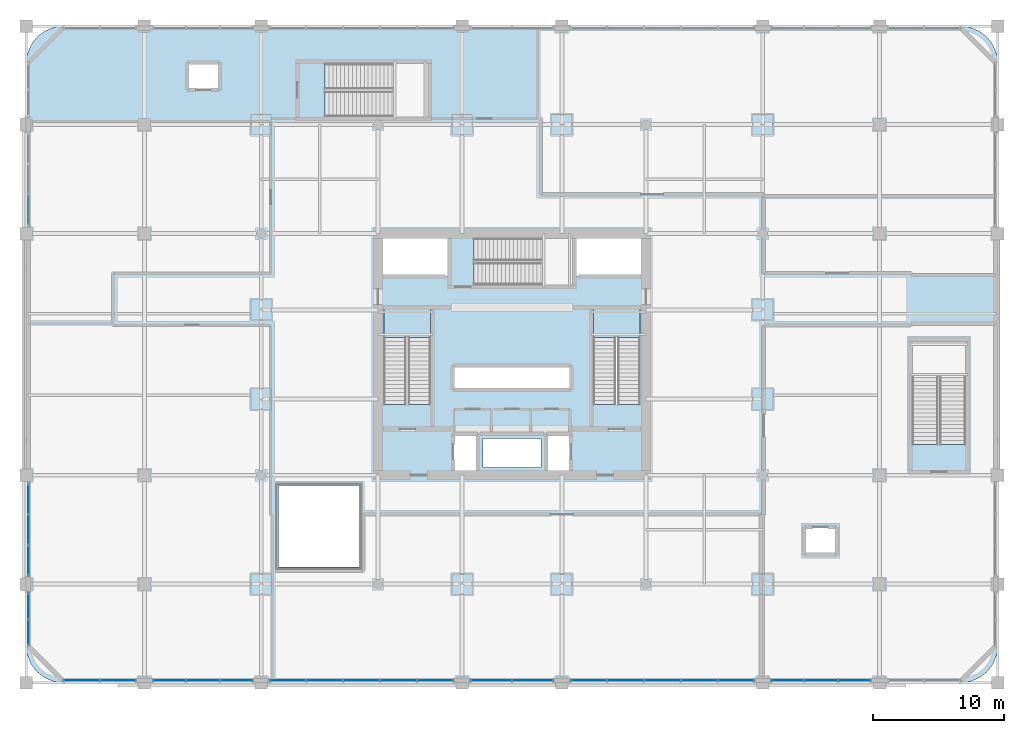
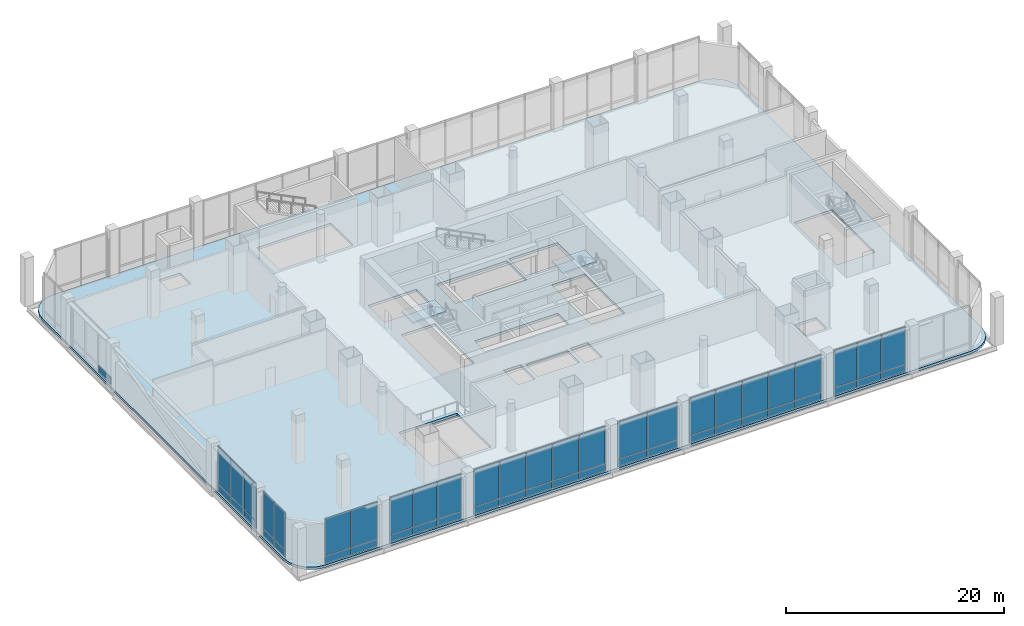
# One storey, part 22 of 39: 51 plates, 3 slabs, 11 elements without a shape of their own.
"""IFC4 building model written with IfcOpenShell, lengths in metres."""

from ifc_helpers import new_model, si_unit, direction, frame, origin, origin_2d, place, context, subcontext, project, spatial, polyline, rectangle, outline, extrude, material, layer, layer_set, type_object, element, aggregate, save


model = new_model("IFC4")

# Units and contexts
model_context = context("Model", 3, precision=1e-05, world=origin(), true_north=direction((0.0, 1.0)))
body_context = subcontext(model_context, "Body", "Model", "MODEL_VIEW")
ifc_project = project(units=[si_unit("LENGTHUNIT", "METRE"), si_unit("AREAUNIT", "SQUARE_METRE"), si_unit("VOLUMEUNIT", "CUBIC_METRE"), si_unit("PLANEANGLEUNIT", "RADIAN"), si_unit("MASSUNIT", "GRAM", prefix="KILO")], contexts=[model_context])

# Site, building, storey
site_placement = place(None, origin())
site = spatial("IfcSite", under=ifc_project, at=site_placement, CompositionType="ELEMENT")
building_placement = place(site_placement, origin())
building = spatial("IfcBuilding", under=site, at=building_placement, Name="Punatoya Terracotta Tower", CompositionType="ELEMENT")
storey_placement = place(building_placement, frame((0.0, 0.0, 11.39990234375)))
storey = spatial("IfcBuildingStorey", under=building, at=storey_placement, Name="L02", CompositionType="ELEMENT", Elevation=11.39990234375)

# Curtain wall, plates
ifc_material_1 = material(Name="Aluminium 6063-T6 + Double Low-E Glass", Category="aluminium")
curtain_wall_type = type_object("IfcCurtainWallType", Name="CW-POD", PredefinedType="NOTDEFINED", material=ifc_material_1)
curtain_wall_1_placement = place(storey_placement, origin())
curtain_wall_1 = element("IfcCurtainWall", 1, at=curtain_wall_1_placement, inside=storey, type_object=curtain_wall_type, Name="L02 Curtain Wall CWP-L02-S1", PredefinedType="NOTDEFINED")
ifc_material_2 = material(Name="Double Low-E Clear Vision Glass", Category="glass")
ifc_layer_1 = layer(ifc_material_2, 0.028076171875)
ifc_layer_set_1 = layer_set([ifc_layer_1], Name="Double Low-E Clear Vision Glass")
plate_type_1 = type_object("IfcPlateType", Name="PLT-GLZ-28", PredefinedType="CURTAIN_PANEL", material=ifc_layer_set_1)
plate_1_placement = place(storey_placement, frame((-32.804931640625, -24.840087890625, 0.89013671875), z_axis=(0.0, 0.0, 1.0), x_axis=(1.0, 0.0, 0.0)))
plate_1 = element("IfcPlate", 2, at=plate_1_placement, type_object=plate_type_1, Name="CWP-L02-S1 Vision Glass Panel 1", PredefinedType="CURTAIN_PANEL", context=body_context, shape_type="SweptSolid", body=[
    extrude(rectangle(XDim=2.705078125, YDim=0.028076171875, at=origin_2d()), origin(), (0.0, 0.0, 1.0), 4.18994140625),
])
plate_2_placement = place(storey_placement, frame((-30.014892578125, -24.840087890625, 0.89013671875), z_axis=(0.0, 0.0, 1.0), x_axis=(1.0, 0.0, 0.0)))
plate_2 = element("IfcPlate", 3, at=plate_2_placement, type_object=plate_type_1, Name="CWP-L02-S1 Vision Glass Panel 2", PredefinedType="CURTAIN_PANEL", context=body_context, shape_type="SweptSolid", body=[
    extrude(rectangle(XDim=2.705078125, YDim=0.028076171875, at=origin_2d()), origin(), (0.0, 0.0, 1.0), 4.18994140625),
])

curtain_wall_2_placement = place(storey_placement, origin())
curtain_wall_2 = element("IfcCurtainWall", 4, at=curtain_wall_2_placement, inside=storey, type_object=curtain_wall_type, Name="L02 Curtain Wall CWP-L02-S2", PredefinedType="NOTDEFINED")
plate_3_placement = place(storey_placement, frame((-26.103271484375, -24.840087890625, 0.89013671875), z_axis=(0.0, 0.0, 1.0), x_axis=(1.0, 0.0, 0.0)))
plate_3 = element("IfcPlate", 5, at=plate_3_placement, type_object=plate_type_1, Name="CWP-L02-S2 Vision Glass Panel 1", PredefinedType="CURTAIN_PANEL", context=body_context, shape_type="SweptSolid", body=[
    extrude(rectangle(XDim=2.46826171875, YDim=0.028076171875, at=origin_2d()), origin(), (0.0, 0.0, 1.0), 4.18994140625),
])
plate_4_placement = place(storey_placement, frame((-23.550048828125, -24.840087890625, 0.89013671875), z_axis=(0.0, 0.0, 1.0), x_axis=(1.0, 0.0, 0.0)))
plate_4 = element("IfcPlate", 6, at=plate_4_placement, type_object=plate_type_1, Name="CWP-L02-S2 Vision Glass Panel 2", PredefinedType="CURTAIN_PANEL", context=body_context, shape_type="SweptSolid", body=[
    extrude(rectangle(XDim=2.46826171875, YDim=0.028076171875, at=origin_2d()), origin(), (0.0, 0.0, 1.0), 4.18994140625),
])
plate_5_placement = place(storey_placement, frame((-20.99658203125, -24.840087890625, 0.89013671875), z_axis=(0.0, 0.0, 1.0), x_axis=(1.0, 0.0, 0.0)))
plate_5 = element("IfcPlate", 7, at=plate_5_placement, type_object=plate_type_1, Name="CWP-L02-S2 Vision Glass Panel 3", PredefinedType="CURTAIN_PANEL", context=body_context, shape_type="SweptSolid", body=[
    extrude(rectangle(XDim=2.46826171875, YDim=0.028076171875, at=origin_2d()), origin(), (0.0, 0.0, 1.0), 4.18994140625),
])

curtain_wall_3_placement = place(storey_placement, origin())
curtain_wall_3 = element("IfcCurtainWall", 8, at=curtain_wall_3_placement, inside=storey, type_object=curtain_wall_type, Name="L02 Curtain Wall CWP-L02-S3", PredefinedType="NOTDEFINED")
plate_6_placement = place(storey_placement, frame((-17.073974609375, -24.840087890625, 0.89013671875), z_axis=(0.0, 0.0, 1.0), x_axis=(1.0, 0.0, 0.0)))
plate_6 = element("IfcPlate", 9, at=plate_6_placement, type_object=plate_type_1, Name="CWP-L02-S3 Vision Glass Panel 1", PredefinedType="CURTAIN_PANEL", context=body_context, shape_type="SweptSolid", body=[
    extrude(rectangle(XDim=2.72705078125, YDim=0.028076171875, at=origin_2d()), origin(), (0.0, 0.0, 1.0), 4.18994140625),
])
plate_7_placement = place(storey_placement, frame((-14.261962890625, -24.840087890625, 0.89013671875), z_axis=(0.0, 0.0, 1.0), x_axis=(1.0, 0.0, 0.0)))
plate_7 = element("IfcPlate", 10, at=plate_7_placement, type_object=plate_type_1, Name="CWP-L02-S3 Vision Glass Panel 2", PredefinedType="CURTAIN_PANEL", context=body_context, shape_type="SweptSolid", body=[
    extrude(rectangle(XDim=2.72705078125, YDim=0.028076171875, at=origin_2d()), origin(), (0.0, 0.0, 1.0), 4.18994140625),
])
plate_8_placement = place(storey_placement, frame((-11.449951171875, -24.840087890625, 0.89013671875), z_axis=(0.0, 0.0, 1.0), x_axis=(1.0, 0.0, 0.0)))
plate_8 = element("IfcPlate", 11, at=plate_8_placement, type_object=plate_type_1, Name="CWP-L02-S3 Vision Glass Panel 3", PredefinedType="CURTAIN_PANEL", context=body_context, shape_type="SweptSolid", body=[
    extrude(rectangle(XDim=2.72705078125, YDim=0.028076171875, at=origin_2d()), origin(), (0.0, 0.0, 1.0), 4.18994140625),
])
plate_9_placement = place(storey_placement, frame((-8.637939453125, -24.840087890625, 0.89013671875), z_axis=(0.0, 0.0, 1.0), x_axis=(1.0, 0.0, 0.0)))
plate_9 = element("IfcPlate", 12, at=plate_9_placement, type_object=plate_type_1, Name="CWP-L02-S3 Vision Glass Panel 4", PredefinedType="CURTAIN_PANEL", context=body_context, shape_type="SweptSolid", body=[
    extrude(rectangle(XDim=2.72705078125, YDim=0.028076171875, at=origin_2d()), origin(), (0.0, 0.0, 1.0), 4.18994140625),
])
plate_10_placement = place(storey_placement, frame((-5.825927734375, -24.840087890625, 0.89013671875), z_axis=(0.0, 0.0, 1.0), x_axis=(1.0, 0.0, 0.0)))
plate_10 = element("IfcPlate", 13, at=plate_10_placement, type_object=plate_type_1, Name="CWP-L02-S3 Vision Glass Panel 5", PredefinedType="CURTAIN_PANEL", context=body_context, shape_type="SweptSolid", body=[
    extrude(rectangle(XDim=2.72705078125, YDim=0.028076171875, at=origin_2d()), origin(), (0.0, 0.0, 1.0), 4.18994140625),
])

curtain_wall_4_placement = place(storey_placement, origin())
curtain_wall_4 = element("IfcCurtainWall", 14, at=curtain_wall_4_placement, inside=storey, type_object=curtain_wall_type, Name="L02 Curtain Wall CWP-L02-S4", PredefinedType="NOTDEFINED")
plate_11_placement = place(storey_placement, frame((-1.590087890625, -24.840087890625, 0.89013671875), z_axis=(0.0, 0.0, 1.0), x_axis=(1.0, 0.0, 0.0)))
plate_11 = element("IfcPlate", 15, at=plate_11_placement, type_object=plate_type_1, Name="CWP-L02-S4 Vision Glass Panel 1", PredefinedType="CURTAIN_PANEL", context=body_context, shape_type="SweptSolid", body=[
    extrude(rectangle(XDim=3.094970703125, YDim=0.028076171875, at=origin_2d()), origin(), (0.0, 0.0, 1.0), 4.18994140625),
])
plate_12_placement = place(storey_placement, frame((1.590087890625, -24.840087890625, 0.89013671875), z_axis=(0.0, 0.0, 1.0), x_axis=(1.0, 0.0, 0.0)))
plate_12 = element("IfcPlate", 16, at=plate_12_placement, type_object=plate_type_1, Name="CWP-L02-S4 Vision Glass Panel 2", PredefinedType="CURTAIN_PANEL", context=body_context, shape_type="SweptSolid", body=[
    extrude(rectangle(XDim=3.094970703125, YDim=0.028076171875, at=origin_2d()), origin(), (0.0, 0.0, 1.0), 4.18994140625),
])

curtain_wall_5_placement = place(storey_placement, origin())
curtain_wall_5 = element("IfcCurtainWall", 17, at=curtain_wall_5_placement, inside=storey, type_object=curtain_wall_type, Name="L02 Curtain Wall CWP-L02-S5", PredefinedType="NOTDEFINED")
plate_13_placement = place(storey_placement, frame((5.825927734375, -24.840087890625, 0.89013671875), z_axis=(0.0, 0.0, 1.0), x_axis=(1.0, 0.0, 0.0)))
plate_13 = element("IfcPlate", 18, at=plate_13_placement, type_object=plate_type_1, Name="CWP-L02-S5 Vision Glass Panel 1", PredefinedType="CURTAIN_PANEL", context=body_context, shape_type="SweptSolid", body=[
    extrude(rectangle(XDim=2.72705078125, YDim=0.028076171875, at=origin_2d()), origin(), (0.0, 0.0, 1.0), 4.18994140625),
])
plate_14_placement = place(storey_placement, frame((8.637939453125, -24.840087890625, 0.89013671875), z_axis=(0.0, 0.0, 1.0), x_axis=(1.0, 0.0, 0.0)))
plate_14 = element("IfcPlate", 19, at=plate_14_placement, type_object=plate_type_1, Name="CWP-L02-S5 Vision Glass Panel 2", PredefinedType="CURTAIN_PANEL", context=body_context, shape_type="SweptSolid", body=[
    extrude(rectangle(XDim=2.72705078125, YDim=0.028076171875, at=origin_2d()), origin(), (0.0, 0.0, 1.0), 4.18994140625),
])
plate_15_placement = place(storey_placement, frame((11.449951171875, -24.840087890625, 0.89013671875), z_axis=(0.0, 0.0, 1.0), x_axis=(1.0, 0.0, 0.0)))
plate_15 = element("IfcPlate", 20, at=plate_15_placement, type_object=plate_type_1, Name="CWP-L02-S5 Vision Glass Panel 3", PredefinedType="CURTAIN_PANEL", context=body_context, shape_type="SweptSolid", body=[
    extrude(rectangle(XDim=2.72705078125, YDim=0.028076171875, at=origin_2d()), origin(), (0.0, 0.0, 1.0), 4.18994140625),
])
plate_16_placement = place(storey_placement, frame((14.261962890625, -24.840087890625, 0.89013671875), z_axis=(0.0, 0.0, 1.0), x_axis=(1.0, 0.0, 0.0)))
plate_16 = element("IfcPlate", 21, at=plate_16_placement, type_object=plate_type_1, Name="CWP-L02-S5 Vision Glass Panel 4", PredefinedType="CURTAIN_PANEL", context=body_context, shape_type="SweptSolid", body=[
    extrude(rectangle(XDim=2.72705078125, YDim=0.028076171875, at=origin_2d()), origin(), (0.0, 0.0, 1.0), 4.18994140625),
])
plate_17_placement = place(storey_placement, frame((17.073974609375, -24.840087890625, 0.89013671875), z_axis=(0.0, 0.0, 1.0), x_axis=(1.0, 0.0, 0.0)))
plate_17 = element("IfcPlate", 22, at=plate_17_placement, type_object=plate_type_1, Name="CWP-L02-S5 Vision Glass Panel 5", PredefinedType="CURTAIN_PANEL", context=body_context, shape_type="SweptSolid", body=[
    extrude(rectangle(XDim=2.72705078125, YDim=0.028076171875, at=origin_2d()), origin(), (0.0, 0.0, 1.0), 4.18994140625),
])

curtain_wall_6_placement = place(storey_placement, origin())
curtain_wall_6 = element("IfcCurtainWall", 23, at=curtain_wall_6_placement, inside=storey, type_object=curtain_wall_type, Name="L02 Curtain Wall CWP-L02-S6", PredefinedType="NOTDEFINED")
plate_18_placement = place(storey_placement, frame((20.99658203125, -24.840087890625, 0.89013671875), z_axis=(0.0, 0.0, 1.0), x_axis=(1.0, 0.0, 0.0)))
plate_18 = element("IfcPlate", 24, at=plate_18_placement, type_object=plate_type_1, Name="CWP-L02-S6 Vision Glass Panel 1", PredefinedType="CURTAIN_PANEL", context=body_context, shape_type="SweptSolid", body=[
    extrude(rectangle(XDim=2.46826171875, YDim=0.028076171875, at=origin_2d()), origin(), (0.0, 0.0, 1.0), 4.18994140625),
])
plate_19_placement = place(storey_placement, frame((23.550048828125, -24.840087890625, 0.89013671875), z_axis=(0.0, 0.0, 1.0), x_axis=(1.0, 0.0, 0.0)))
plate_19 = element("IfcPlate", 25, at=plate_19_placement, type_object=plate_type_1, Name="CWP-L02-S6 Vision Glass Panel 2", PredefinedType="CURTAIN_PANEL", context=body_context, shape_type="SweptSolid", body=[
    extrude(rectangle(XDim=2.46826171875, YDim=0.028076171875, at=origin_2d()), origin(), (0.0, 0.0, 1.0), 4.18994140625),
])
plate_20_placement = place(storey_placement, frame((26.103271484375, -24.840087890625, 0.89013671875), z_axis=(0.0, 0.0, 1.0), x_axis=(1.0, 0.0, 0.0)))
plate_20 = element("IfcPlate", 26, at=plate_20_placement, type_object=plate_type_1, Name="CWP-L02-S6 Vision Glass Panel 3", PredefinedType="CURTAIN_PANEL", context=body_context, shape_type="SweptSolid", body=[
    extrude(rectangle(XDim=2.46826171875, YDim=0.028076171875, at=origin_2d()), origin(), (0.0, 0.0, 1.0), 4.18994140625),
])

curtain_wall_7_placement = place(storey_placement, origin())
curtain_wall_7 = element("IfcCurtainWall", 27, at=curtain_wall_7_placement, inside=storey, type_object=curtain_wall_type, Name="L02 Curtain Wall CWP-L02-W1", PredefinedType="NOTDEFINED")
plate_21_placement = place(storey_placement, frame((-36.840087890625, -21.179931640625, 0.89013671875), z_axis=(0.0, 0.0, 1.0), x_axis=(0.0, 1.0, 0.0)))
plate_21 = element("IfcPlate", 28, at=plate_21_placement, type_object=plate_type_1, Name="CWP-L02-W1 Vision Glass Panel 1", PredefinedType="CURTAIN_PANEL", context=body_context, shape_type="SweptSolid", body=[
    extrude(rectangle(XDim=1.955078125, YDim=0.028076171875, at=origin_2d()), origin(), (0.0, 0.0, 1.0), 4.18994140625),
])
plate_22_placement = place(storey_placement, frame((-36.840087890625, -19.139892578125, 0.89013671875), z_axis=(0.0, 0.0, 1.0), x_axis=(0.0, 1.0, 0.0)))
plate_22 = element("IfcPlate", 29, at=plate_22_placement, type_object=plate_type_1, Name="CWP-L02-W1 Vision Glass Panel 2", PredefinedType="CURTAIN_PANEL", context=body_context, shape_type="SweptSolid", body=[
    extrude(rectangle(XDim=1.955078125, YDim=0.028076171875, at=origin_2d()), origin(), (0.0, 0.0, 1.0), 4.18994140625),
])

curtain_wall_8_placement = place(storey_placement, origin())
curtain_wall_8 = element("IfcCurtainWall", 30, at=curtain_wall_8_placement, inside=storey, type_object=curtain_wall_type, Name="L02 Curtain Wall CWP-L02-W2", PredefinedType="NOTDEFINED")
plate_23_placement = place(storey_placement, frame((-36.840087890625, -15.703369140625, 0.89013671875), z_axis=(0.0, 0.0, 1.0), x_axis=(0.0, 1.0, 0.0)))
plate_23 = element("IfcPlate", 31, at=plate_23_placement, type_object=plate_type_1, Name="CWP-L02-W2 Vision Glass Panel 1", PredefinedType="CURTAIN_PANEL", context=body_context, shape_type="SweptSolid", body=[
    extrude(rectangle(XDim=2.268310546875, YDim=0.028076171875, at=origin_2d()), origin(), (0.0, 0.0, 1.0), 4.18994140625),
])
plate_24_placement = place(storey_placement, frame((-36.840087890625, -13.35009765625, 0.89013671875), z_axis=(0.0, 0.0, 1.0), x_axis=(0.0, 1.0, 0.0)))
plate_24 = element("IfcPlate", 32, at=plate_24_placement, type_object=plate_type_1, Name="CWP-L02-W2 Vision Glass Panel 2", PredefinedType="CURTAIN_PANEL", context=body_context, shape_type="SweptSolid", body=[
    extrude(rectangle(XDim=2.268310546875, YDim=0.028076171875, at=origin_2d()), origin(), (0.0, 0.0, 1.0), 4.18994140625),
])
plate_25_placement = place(storey_placement, frame((-36.840087890625, -10.99658203125, 0.89013671875), z_axis=(0.0, 0.0, 1.0), x_axis=(0.0, 1.0, 0.0)))
plate_25 = element("IfcPlate", 33, at=plate_25_placement, type_object=plate_type_1, Name="CWP-L02-W2 Vision Glass Panel 3", PredefinedType="CURTAIN_PANEL", context=body_context, shape_type="SweptSolid", body=[
    extrude(rectangle(XDim=2.268310546875, YDim=0.028076171875, at=origin_2d()), origin(), (0.0, 0.0, 1.0), 4.18994140625),
])

# Plate
ifc_material_3 = material(Name="Insulated Terracotta-Backed Spandrel Panel", Category="masonry")
ifc_layer_2 = layer(ifc_material_3, 0.044921875)
ifc_layer_set_2 = layer_set([ifc_layer_2], Name="Insulated Terracotta-Backed Spandrel Panel")
plate_type_2 = type_object("IfcPlateType", Name="PLT-SPN-45", PredefinedType="CURTAIN_PANEL", material=ifc_layer_set_2)
plate_26_placement = place(storey_placement, frame((-32.804931640625, -24.840087890625, 0.0400390625), z_axis=(0.0, 0.0, 1.0), x_axis=(1.0, 0.0, 0.0)))
plate_26 = element("IfcPlate", 34, at=plate_26_placement, type_object=plate_type_2, Name="CWP-L02-S1 Terracotta Spandrel Panel 1", PredefinedType="CURTAIN_PANEL", context=body_context, shape_type="SweptSolid", body=[
    extrude(rectangle(XDim=2.705078125, YDim=0.044921875, at=origin_2d()), origin(), (0.0, 0.0, 1.0), 0.77490234375),
])

plate_27_placement = place(storey_placement, frame((-30.014892578125, -24.840087890625, 0.0400390625), z_axis=(0.0, 0.0, 1.0), x_axis=(1.0, 0.0, 0.0)))
plate_27 = element("IfcPlate", 35, at=plate_27_placement, type_object=plate_type_2, Name="CWP-L02-S1 Terracotta Spandrel Panel 2", PredefinedType="CURTAIN_PANEL", context=body_context, shape_type="SweptSolid", body=[
    extrude(rectangle(XDim=2.705078125, YDim=0.044921875, at=origin_2d()), origin(), (0.0, 0.0, 1.0), 0.77490234375),
])

aggregate(curtain_wall_1, [plate_26, plate_1, plate_27, plate_2])

plate_28_placement = place(storey_placement, frame((-26.103271484375, -24.840087890625, 0.0400390625), z_axis=(0.0, 0.0, 1.0), x_axis=(1.0, 0.0, 0.0)))
plate_28 = element("IfcPlate", 36, at=plate_28_placement, type_object=plate_type_2, Name="CWP-L02-S2 Terracotta Spandrel Panel 1", PredefinedType="CURTAIN_PANEL", context=body_context, shape_type="SweptSolid", body=[
    extrude(rectangle(XDim=2.46826171875, YDim=0.044921875, at=origin_2d()), origin(), (0.0, 0.0, 1.0), 0.77490234375),
])

plate_29_placement = place(storey_placement, frame((-23.550048828125, -24.840087890625, 0.0400390625), z_axis=(0.0, 0.0, 1.0), x_axis=(1.0, 0.0, 0.0)))
plate_29 = element("IfcPlate", 37, at=plate_29_placement, type_object=plate_type_2, Name="CWP-L02-S2 Terracotta Spandrel Panel 2", PredefinedType="CURTAIN_PANEL", context=body_context, shape_type="SweptSolid", body=[
    extrude(rectangle(XDim=2.46826171875, YDim=0.044921875, at=origin_2d()), origin(), (0.0, 0.0, 1.0), 0.77490234375),
])

plate_30_placement = place(storey_placement, frame((-20.99658203125, -24.840087890625, 0.0400390625), z_axis=(0.0, 0.0, 1.0), x_axis=(1.0, 0.0, 0.0)))
plate_30 = element("IfcPlate", 38, at=plate_30_placement, type_object=plate_type_2, Name="CWP-L02-S2 Terracotta Spandrel Panel 3", PredefinedType="CURTAIN_PANEL", context=body_context, shape_type="SweptSolid", body=[
    extrude(rectangle(XDim=2.46826171875, YDim=0.044921875, at=origin_2d()), origin(), (0.0, 0.0, 1.0), 0.77490234375),
])

aggregate(curtain_wall_2, [plate_28, plate_3, plate_29, plate_4, plate_30, plate_5])

plate_31_placement = place(storey_placement, frame((-17.073974609375, -24.840087890625, 0.0400390625), z_axis=(0.0, 0.0, 1.0), x_axis=(1.0, 0.0, 0.0)))
plate_31 = element("IfcPlate", 39, at=plate_31_placement, type_object=plate_type_2, Name="CWP-L02-S3 Terracotta Spandrel Panel 1", PredefinedType="CURTAIN_PANEL", context=body_context, shape_type="SweptSolid", body=[
    extrude(rectangle(XDim=2.72705078125, YDim=0.044921875, at=origin_2d()), origin(), (0.0, 0.0, 1.0), 0.77490234375),
])

plate_32_placement = place(storey_placement, frame((-14.261962890625, -24.840087890625, 0.0400390625), z_axis=(0.0, 0.0, 1.0), x_axis=(1.0, 0.0, 0.0)))
plate_32 = element("IfcPlate", 40, at=plate_32_placement, type_object=plate_type_2, Name="CWP-L02-S3 Terracotta Spandrel Panel 2", PredefinedType="CURTAIN_PANEL", context=body_context, shape_type="SweptSolid", body=[
    extrude(rectangle(XDim=2.72705078125, YDim=0.044921875, at=origin_2d()), origin(), (0.0, 0.0, 1.0), 0.77490234375),
])

plate_33_placement = place(storey_placement, frame((-11.449951171875, -24.840087890625, 0.0400390625), z_axis=(0.0, 0.0, 1.0), x_axis=(1.0, 0.0, 0.0)))
plate_33 = element("IfcPlate", 41, at=plate_33_placement, type_object=plate_type_2, Name="CWP-L02-S3 Terracotta Spandrel Panel 3", PredefinedType="CURTAIN_PANEL", context=body_context, shape_type="SweptSolid", body=[
    extrude(rectangle(XDim=2.72705078125, YDim=0.044921875, at=origin_2d()), origin(), (0.0, 0.0, 1.0), 0.77490234375),
])

plate_34_placement = place(storey_placement, frame((-8.637939453125, -24.840087890625, 0.0400390625), z_axis=(0.0, 0.0, 1.0), x_axis=(1.0, 0.0, 0.0)))
plate_34 = element("IfcPlate", 42, at=plate_34_placement, type_object=plate_type_2, Name="CWP-L02-S3 Terracotta Spandrel Panel 4", PredefinedType="CURTAIN_PANEL", context=body_context, shape_type="SweptSolid", body=[
    extrude(rectangle(XDim=2.72705078125, YDim=0.044921875, at=origin_2d()), origin(), (0.0, 0.0, 1.0), 0.77490234375),
])

plate_35_placement = place(storey_placement, frame((-5.825927734375, -24.840087890625, 0.0400390625), z_axis=(0.0, 0.0, 1.0), x_axis=(1.0, 0.0, 0.0)))
plate_35 = element("IfcPlate", 43, at=plate_35_placement, type_object=plate_type_2, Name="CWP-L02-S3 Terracotta Spandrel Panel 5", PredefinedType="CURTAIN_PANEL", context=body_context, shape_type="SweptSolid", body=[
    extrude(rectangle(XDim=2.72705078125, YDim=0.044921875, at=origin_2d()), origin(), (0.0, 0.0, 1.0), 0.77490234375),
])

aggregate(curtain_wall_3, [plate_31, plate_6, plate_32, plate_7, plate_33, plate_8, plate_34, plate_9, plate_35, plate_10])

plate_36_placement = place(storey_placement, frame((-1.590087890625, -24.840087890625, 0.0400390625), z_axis=(0.0, 0.0, 1.0), x_axis=(1.0, 0.0, 0.0)))
plate_36 = element("IfcPlate", 44, at=plate_36_placement, type_object=plate_type_2, Name="CWP-L02-S4 Terracotta Spandrel Panel 1", PredefinedType="CURTAIN_PANEL", context=body_context, shape_type="SweptSolid", body=[
    extrude(rectangle(XDim=3.094970703125, YDim=0.044921875, at=origin_2d()), origin(), (0.0, 0.0, 1.0), 0.77490234375),
])

plate_37_placement = place(storey_placement, frame((1.590087890625, -24.840087890625, 0.0400390625), z_axis=(0.0, 0.0, 1.0), x_axis=(1.0, 0.0, 0.0)))
plate_37 = element("IfcPlate", 45, at=plate_37_placement, type_object=plate_type_2, Name="CWP-L02-S4 Terracotta Spandrel Panel 2", PredefinedType="CURTAIN_PANEL", context=body_context, shape_type="SweptSolid", body=[
    extrude(rectangle(XDim=3.094970703125, YDim=0.044921875, at=origin_2d()), origin(), (0.0, 0.0, 1.0), 0.77490234375),
])

aggregate(curtain_wall_4, [plate_36, plate_11, plate_37, plate_12])

plate_38_placement = place(storey_placement, frame((5.825927734375, -24.840087890625, 0.0400390625), z_axis=(0.0, 0.0, 1.0), x_axis=(1.0, 0.0, 0.0)))
plate_38 = element("IfcPlate", 46, at=plate_38_placement, type_object=plate_type_2, Name="CWP-L02-S5 Terracotta Spandrel Panel 1", PredefinedType="CURTAIN_PANEL", context=body_context, shape_type="SweptSolid", body=[
    extrude(rectangle(XDim=2.72705078125, YDim=0.044921875, at=origin_2d()), origin(), (0.0, 0.0, 1.0), 0.77490234375),
])

plate_39_placement = place(storey_placement, frame((8.637939453125, -24.840087890625, 0.0400390625), z_axis=(0.0, 0.0, 1.0), x_axis=(1.0, 0.0, 0.0)))
plate_39 = element("IfcPlate", 47, at=plate_39_placement, type_object=plate_type_2, Name="CWP-L02-S5 Terracotta Spandrel Panel 2", PredefinedType="CURTAIN_PANEL", context=body_context, shape_type="SweptSolid", body=[
    extrude(rectangle(XDim=2.72705078125, YDim=0.044921875, at=origin_2d()), origin(), (0.0, 0.0, 1.0), 0.77490234375),
])

plate_40_placement = place(storey_placement, frame((11.449951171875, -24.840087890625, 0.0400390625), z_axis=(0.0, 0.0, 1.0), x_axis=(1.0, 0.0, 0.0)))
plate_40 = element("IfcPlate", 48, at=plate_40_placement, type_object=plate_type_2, Name="CWP-L02-S5 Terracotta Spandrel Panel 3", PredefinedType="CURTAIN_PANEL", context=body_context, shape_type="SweptSolid", body=[
    extrude(rectangle(XDim=2.72705078125, YDim=0.044921875, at=origin_2d()), origin(), (0.0, 0.0, 1.0), 0.77490234375),
])

plate_41_placement = place(storey_placement, frame((14.261962890625, -24.840087890625, 0.0400390625), z_axis=(0.0, 0.0, 1.0), x_axis=(1.0, 0.0, 0.0)))
plate_41 = element("IfcPlate", 49, at=plate_41_placement, type_object=plate_type_2, Name="CWP-L02-S5 Terracotta Spandrel Panel 4", PredefinedType="CURTAIN_PANEL", context=body_context, shape_type="SweptSolid", body=[
    extrude(rectangle(XDim=2.72705078125, YDim=0.044921875, at=origin_2d()), origin(), (0.0, 0.0, 1.0), 0.77490234375),
])

plate_42_placement = place(storey_placement, frame((17.073974609375, -24.840087890625, 0.0400390625), z_axis=(0.0, 0.0, 1.0), x_axis=(1.0, 0.0, 0.0)))
plate_42 = element("IfcPlate", 50, at=plate_42_placement, type_object=plate_type_2, Name="CWP-L02-S5 Terracotta Spandrel Panel 5", PredefinedType="CURTAIN_PANEL", context=body_context, shape_type="SweptSolid", body=[
    extrude(rectangle(XDim=2.72705078125, YDim=0.044921875, at=origin_2d()), origin(), (0.0, 0.0, 1.0), 0.77490234375),
])

aggregate(curtain_wall_5, [plate_38, plate_13, plate_39, plate_14, plate_40, plate_15, plate_41, plate_16, plate_42, plate_17])

plate_43_placement = place(storey_placement, frame((20.99658203125, -24.840087890625, 0.0400390625), z_axis=(0.0, 0.0, 1.0), x_axis=(1.0, 0.0, 0.0)))
plate_43 = element("IfcPlate", 51, at=plate_43_placement, type_object=plate_type_2, Name="CWP-L02-S6 Terracotta Spandrel Panel 1", PredefinedType="CURTAIN_PANEL", context=body_context, shape_type="SweptSolid", body=[
    extrude(rectangle(XDim=2.46826171875, YDim=0.044921875, at=origin_2d()), origin(), (0.0, 0.0, 1.0), 0.77490234375),
])

plate_44_placement = place(storey_placement, frame((23.550048828125, -24.840087890625, 0.0400390625), z_axis=(0.0, 0.0, 1.0), x_axis=(1.0, 0.0, 0.0)))
plate_44 = element("IfcPlate", 52, at=plate_44_placement, type_object=plate_type_2, Name="CWP-L02-S6 Terracotta Spandrel Panel 2", PredefinedType="CURTAIN_PANEL", context=body_context, shape_type="SweptSolid", body=[
    extrude(rectangle(XDim=2.46826171875, YDim=0.044921875, at=origin_2d()), origin(), (0.0, 0.0, 1.0), 0.77490234375),
])

plate_45_placement = place(storey_placement, frame((26.103271484375, -24.840087890625, 0.0400390625), z_axis=(0.0, 0.0, 1.0), x_axis=(1.0, 0.0, 0.0)))
plate_45 = element("IfcPlate", 53, at=plate_45_placement, type_object=plate_type_2, Name="CWP-L02-S6 Terracotta Spandrel Panel 3", PredefinedType="CURTAIN_PANEL", context=body_context, shape_type="SweptSolid", body=[
    extrude(rectangle(XDim=2.46826171875, YDim=0.044921875, at=origin_2d()), origin(), (0.0, 0.0, 1.0), 0.77490234375),
])

aggregate(curtain_wall_6, [plate_43, plate_18, plate_44, plate_19, plate_45, plate_20])

plate_46_placement = place(storey_placement, frame((-36.840087890625, -21.179931640625, 0.0400390625), z_axis=(0.0, 0.0, 1.0), x_axis=(0.0, 1.0, 0.0)))
plate_46 = element("IfcPlate", 54, at=plate_46_placement, type_object=plate_type_2, Name="CWP-L02-W1 Terracotta Spandrel Panel 1", PredefinedType="CURTAIN_PANEL", context=body_context, shape_type="SweptSolid", body=[
    extrude(rectangle(XDim=1.955078125, YDim=0.044921875, at=origin_2d()), origin(), (0.0, 0.0, 1.0), 0.77490234375),
])

plate_47_placement = place(storey_placement, frame((-36.840087890625, -19.139892578125, 0.0400390625), z_axis=(0.0, 0.0, 1.0), x_axis=(0.0, 1.0, 0.0)))
plate_47 = element("IfcPlate", 55, at=plate_47_placement, type_object=plate_type_2, Name="CWP-L02-W1 Terracotta Spandrel Panel 2", PredefinedType="CURTAIN_PANEL", context=body_context, shape_type="SweptSolid", body=[
    extrude(rectangle(XDim=1.955078125, YDim=0.044921875, at=origin_2d()), origin(), (0.0, 0.0, 1.0), 0.77490234375),
])

aggregate(curtain_wall_7, [plate_46, plate_21, plate_47, plate_22])

plate_48_placement = place(storey_placement, frame((-36.840087890625, -15.703369140625, 0.0400390625), z_axis=(0.0, 0.0, 1.0), x_axis=(0.0, 1.0, 0.0)))
plate_48 = element("IfcPlate", 56, at=plate_48_placement, type_object=plate_type_2, Name="CWP-L02-W2 Terracotta Spandrel Panel 1", PredefinedType="CURTAIN_PANEL", context=body_context, shape_type="SweptSolid", body=[
    extrude(rectangle(XDim=2.268310546875, YDim=0.044921875, at=origin_2d()), origin(), (0.0, 0.0, 1.0), 0.77490234375),
])

plate_49_placement = place(storey_placement, frame((-36.840087890625, -13.35009765625, 0.0400390625), z_axis=(0.0, 0.0, 1.0), x_axis=(0.0, 1.0, 0.0)))
plate_49 = element("IfcPlate", 57, at=plate_49_placement, type_object=plate_type_2, Name="CWP-L02-W2 Terracotta Spandrel Panel 2", PredefinedType="CURTAIN_PANEL", context=body_context, shape_type="SweptSolid", body=[
    extrude(rectangle(XDim=2.268310546875, YDim=0.044921875, at=origin_2d()), origin(), (0.0, 0.0, 1.0), 0.77490234375),
])

plate_50_placement = place(storey_placement, frame((-36.840087890625, -10.99658203125, 0.0400390625), z_axis=(0.0, 0.0, 1.0), x_axis=(0.0, 1.0, 0.0)))
plate_50 = element("IfcPlate", 58, at=plate_50_placement, type_object=plate_type_2, Name="CWP-L02-W2 Terracotta Spandrel Panel 3", PredefinedType="CURTAIN_PANEL", context=body_context, shape_type="SweptSolid", body=[
    extrude(rectangle(XDim=2.268310546875, YDim=0.044921875, at=origin_2d()), origin(), (0.0, 0.0, 1.0), 0.77490234375),
])

aggregate(curtain_wall_8, [plate_48, plate_23, plate_49, plate_24, plate_50, plate_25])

# Curtain wall, plate
curtain_wall_9_placement = place(storey_placement, origin())
curtain_wall_9 = element("IfcCurtainWall", 59, at=curtain_wall_9_placement, inside=storey, type_object=curtain_wall_type, Name="L02 Curtain Wall CWP-L02-W3", PredefinedType="NOTDEFINED")
plate_51_placement = place(storey_placement, frame((-36.840087890625, 10.99658203125, 0.0400390625), z_axis=(0.0, 0.0, 1.0), x_axis=(0.0, 1.0, 0.0)))
plate_51 = element("IfcPlate", 60, at=plate_51_placement, type_object=plate_type_2, Name="CWP-L02-W3 Terracotta Spandrel Panel 1", PredefinedType="CURTAIN_PANEL", context=body_context, shape_type="SweptSolid", body=[
    extrude(rectangle(XDim=2.268310546875, YDim=0.044921875, at=origin_2d()), origin(), (0.0, 0.0, 1.0), 0.77490234375),
])
aggregate(curtain_wall_9, [plate_51])

# Stair, slab
ifc_material_4 = material(Name="Concrete C40/50", Category="concrete")
stair_type_1 = type_object("IfcStairType", Name="STR-CORE-1550", PredefinedType="HALF_TURN_STAIR", material=ifc_material_4)
stair_1_placement = place(storey_placement, origin())
stair_1 = element("IfcStair", 61, at=stair_1_placement, inside=storey, type_object=stair_type_1, Name="L02 Protected Core Exit Stair ST-1", PredefinedType="HALF_TURN_STAIR")
ifc_layer_3 = layer(ifc_material_4, 0.179931640625)
ifc_layer_set_3 = layer_set([ifc_layer_3], Name="Concrete C40/50")
slab_type_1 = type_object("IfcSlabType", Name="SLB-LND-180", PredefinedType="LANDING", material=ifc_layer_set_3)
slab_1_placement = place(storey_placement, frame((0.0, 0.0, 2.5)))
slab_1 = element("IfcSlab", 62, at=slab_1_placement, type_object=slab_type_1, Name="ST-1 landing 1", PredefinedType="LANDING", context=body_context, shape_type="SweptSolid", body=[
    extrude(outline(polyline([(-6.199951171875, 1.300048828125), (-6.199951171875, 3.449951171875), (-9.75, 3.449951171875), (-9.75, 1.300048828125), (-6.199951171875, 1.300048828125)])), origin(), (0.0, 0.0, 1.0), 0.2001953125),
])
aggregate(stair_1, [slab_1])

stair_type_2 = type_object("IfcStairType", Name="STR-LOB-1650", PredefinedType="HALF_TURN_STAIR", material=ifc_material_4)
stair_2_placement = place(storey_placement, origin())
stair_2 = element("IfcStair", 63, at=stair_2_placement, inside=storey, type_object=stair_type_2, Name="L02 Protected Core Exit Stair ST-2", PredefinedType="HALF_TURN_STAIR")
slab_2_placement = place(storey_placement, frame((0.0, 0.0, 2.5)))
slab_2 = element("IfcSlab", 64, at=slab_2_placement, type_object=slab_type_1, Name="ST-2 landing 1", PredefinedType="LANDING", context=body_context, shape_type="SweptSolid", body=[
    extrude(outline(polyline([(9.75, 1.300048828125), (9.75, 3.449951171875), (6.199951171875, 3.449951171875), (6.199951171875, 1.300048828125), (9.75, 1.300048828125)])), origin(), (0.0, 0.0, 1.0), 0.2001953125),
])
aggregate(stair_2, [slab_2])

# Slab
ifc_layer_4 = layer(ifc_material_4, 0.280029296875)
ifc_layer_set_4 = layer_set([ifc_layer_4], Name="Concrete C40/50")
slab_type_2 = type_object("IfcSlabType", Name="SLB-POD-280", PredefinedType="FLOOR", material=ifc_layer_set_4)
slab_3_placement = place(storey_placement, frame((0.0, 0.0, -0.27978515625)))
element("IfcSlab", 65, at=slab_3_placement, inside=storey, type_object=slab_type_2, Name="L02 Structural Floor Slab", PredefinedType="FLOOR", context=body_context, shape_type="SweptSolid", body=[
    extrude(outline(polyline([(-34.199951171875, -25.0), (-34.9248046875, -24.904541015625), (-35.60009765625, -24.625), (-36.179931640625, -24.179931640625), (-36.625, -23.60009765625), (-36.904541015625, -22.9248046875), (-37.0, -22.199951171875), (-37.0, 22.199951171875), (-36.904541015625, 22.9248046875), (-36.625, 23.60009765625), (-36.179931640625, 24.179931640625), (-35.60009765625, 24.625), (-34.9248046875, 24.904541015625), (-34.199951171875, 25.0), (34.199951171875, 25.0), (34.9248046875, 24.904541015625), (35.60009765625, 24.625), (36.179931640625, 24.179931640625), (36.625, 23.60009765625), (36.904541015625, 22.9248046875), (37.0, 22.199951171875), (37.0, -22.199951171875), (36.904541015625, -22.9248046875), (36.625, -23.60009765625), (36.179931640625, -24.179931640625), (35.60009765625, -24.625), (34.9248046875, -24.904541015625), (34.199951171875, -25.0), (-34.199951171875, -25.0)]), holes=[polyline([(-11.60009765625, -10.0), (-17.800048828125, -10.0), (-17.800048828125, -16.199951171875), (-11.60009765625, -16.199951171875), (-11.60009765625, -10.0)]), polyline([(-2.6298828125, -8.820068359375), (-2.6298828125, -6.179931640625), (-4.469970703125, -6.179931640625), (-4.469970703125, -8.820068359375), (-2.6298828125, -8.820068359375)]), polyline([(0.02001953125, -8.594970703125), (2.219970703125, -8.594970703125), (2.219970703125, -6.405029296875), (0.02001953125, -6.405029296875), (-0.02001953125, -6.405029296875), (-2.219970703125, -6.405029296875), (-2.219970703125, -8.594970703125), (-0.02001953125, -8.594970703125), (0.02001953125, -8.594970703125)]), polyline([(-2.219970703125, -2.719970703125), (-2.179931640625, -2.719970703125), (-0.02001953125, -2.719970703125), (0.02001953125, -2.719970703125), (2.179931640625, -2.719970703125), (2.219970703125, -2.719970703125), (4.419921875, -2.719970703125), (4.419921875, -0.780029296875), (2.219970703125, -0.780029296875), (2.179931640625, -0.780029296875), (0.02001953125, -0.780029296875), (-0.02001953125, -0.780029296875), (-2.179931640625, -0.780029296875), (-2.219970703125, -0.780029296875), (-4.419921875, -0.780029296875), (-4.419921875, -2.719970703125), (-2.219970703125, -2.719970703125)]), polyline([(-6.199951171875, 3.449951171875), (-9.75, 3.449951171875), (-9.75, -3.79931640625), (-6.199951171875, -3.79931640625), (-6.199951171875, 3.449951171875)]), polyline([(-4.89990234375, 5.949951171875), (-4.89990234375, 9.050048828125), (-10.050048828125, 9.050048828125), (-10.050048828125, 5.949951171875), (-4.89990234375, 5.949951171875)]), polyline([(-14.249267578125, 18.10009765625), (-6.39990234375, 18.10009765625), (-6.39990234375, 22.14990234375), (-14.249267578125, 22.14990234375), (-14.249267578125, 18.10009765625)]), polyline([(-24.6201171875, 20.22998046875), (-22.3798828125, 20.22998046875), (-22.3798828125, 22.169921875), (-24.6201171875, 22.169921875), (-24.6201171875, 20.22998046875)]), polyline([(24.6201171875, -15.169921875), (24.6201171875, -13.22998046875), (22.3798828125, -13.22998046875), (22.3798828125, -15.169921875), (24.6201171875, -15.169921875)]), polyline([(4.469970703125, -8.820068359375), (4.469970703125, -6.179931640625), (2.6298828125, -6.179931640625), (2.6298828125, -8.820068359375), (4.469970703125, -8.820068359375)]), polyline([(34.550048828125, 1.0), (30.5, 1.0), (30.5, -6.84912109375), (34.550048828125, -6.84912109375), (34.550048828125, 1.0)]), polyline([(9.75, 3.449951171875), (6.199951171875, 3.449951171875), (6.199951171875, -3.79931640625), (9.75, -3.79931640625), (9.75, 3.449951171875)]), polyline([(-2.899169921875, 5.300048828125), (4.60009765625, 5.300048828125), (4.60009765625, 8.85009765625), (-2.899169921875, 8.85009765625), (-2.899169921875, 5.300048828125)]), polyline([(4.89990234375, 5.949951171875), (10.050048828125, 5.949951171875), (10.050048828125, 9.050048828125), (4.89990234375, 9.050048828125), (4.89990234375, 5.949951171875)])]), origin(), (0.0, 0.0, 1.0), 0.27978515625),
])

save(model, "model.ifc")
